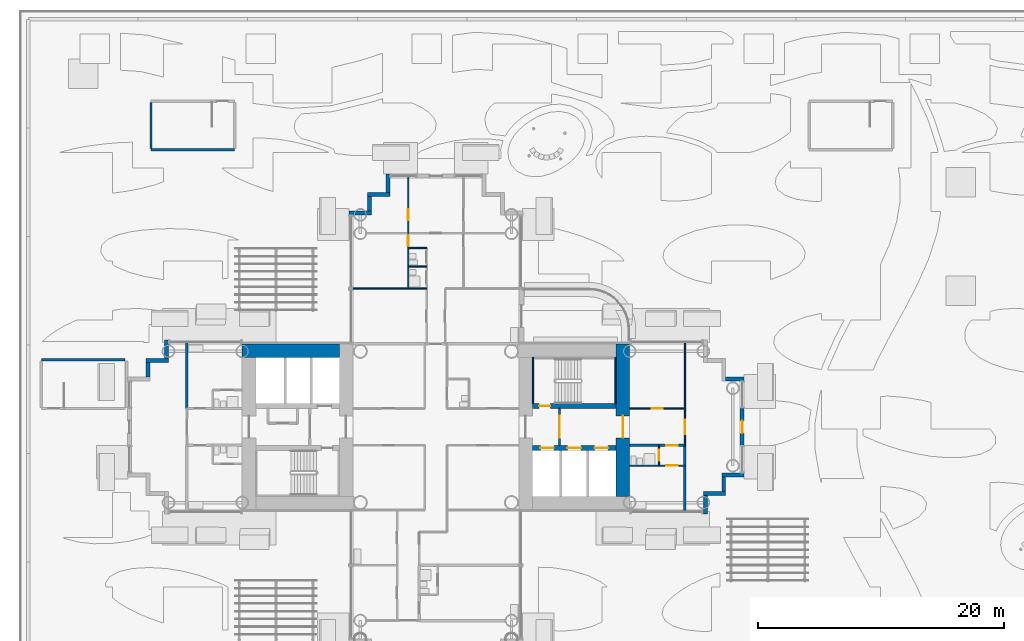
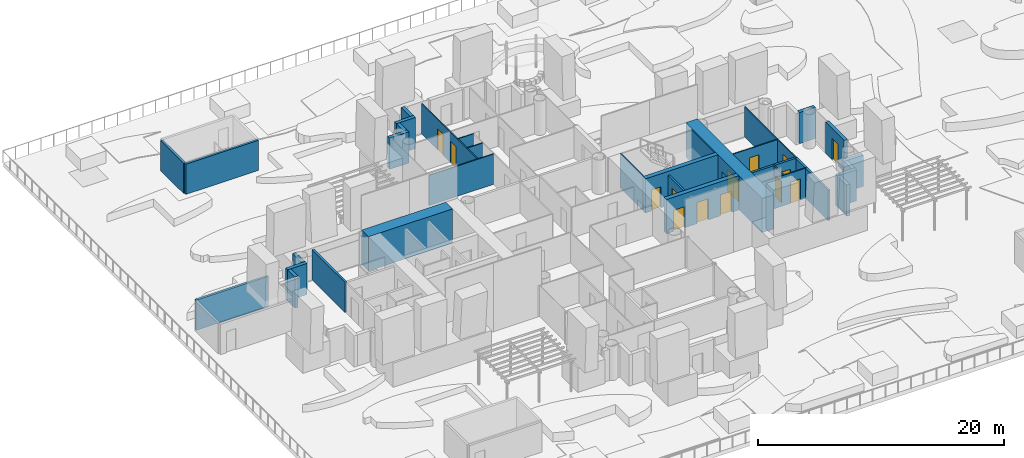
# One storey, part 25 of 40: 34 walls, 14 doors, 14 openings.
"""IFC4 building model written with IfcOpenShell, lengths in metres."""

from ifc_helpers import new_model, si_unit, direction, frame, frame_2d, origin, place, context, subcontext, project, spatial, rectangle, extrude, material, layer, layer_set, type_object, element, fill, save


model = new_model("IFC4")

# Units and contexts
model_context = context("Model", 3, precision=1e-05, world=origin(), true_north=direction((0.0, 1.0)))
body_context = subcontext(model_context, "Body", "Model", "MODEL_VIEW")
ifc_project = project(units=[si_unit("LENGTHUNIT", "METRE"), si_unit("AREAUNIT", "SQUARE_METRE"), si_unit("VOLUMEUNIT", "CUBIC_METRE"), si_unit("PLANEANGLEUNIT", "RADIAN"), si_unit("MASSUNIT", "GRAM", prefix="KILO")], contexts=[model_context])

# Site, building, storey
site_placement = place(None, origin())
site = spatial("IfcSite", under=ifc_project, at=site_placement, CompositionType="ELEMENT")
building_placement = place(site_placement, origin())
building = spatial("IfcBuilding", under=site, at=building_placement, Name="Ipe Terrace Towers", CompositionType="ELEMENT")
storey_placement = place(building_placement, frame((0.0, 0.0, 24.5)))
storey = spatial("IfcBuildingStorey", under=building, at=storey_placement, Name="L05", CompositionType="ELEMENT", Elevation=24.5)

# Walls
ifc_material_1 = material(Name="Concrete C40/50 with buff precast cladding", Category="concrete")
ifc_layer_1 = layer(ifc_material_1, 0.320068359375)
ifc_layer_set_1 = layer_set([ifc_layer_1], Name="BUFF CLADDING WALL 320")
wall_type_1 = type_object("IfcWallType", Name="BUFF CLADDING WALL 320", PredefinedType="STANDARD", material=ifc_layer_set_1)
wall_1_placement = place(storey_placement, frame((-14.090087890625, -7.070068359375, 0.0), z_axis=(0.0, 0.0, 1.0), x_axis=(0.0, 1.0, 0.0)))
element("IfcWall", 1, at=wall_1_placement, inside=storey, type_object=wall_type_1, Name="T1-W-L05-21a wall", PredefinedType="STANDARD", context=body_context, shape_type="SweptSolid", body=[
    extrude(rectangle(XDim=1.5, YDim=0.320068359375, at=frame_2d((0.75, 0.0))), origin(), (0.0, 0.0, 1.0), 3.10009765625),
])
wall_2_placement = place(storey_placement, frame((-14.25, -5.409912109375, 0.0), z_axis=(0.0, 0.0, 1.0), x_axis=(1.0, 0.0, 0.0)))
element("IfcWall", 2, at=wall_2_placement, inside=storey, type_object=wall_type_1, Name="T1-W-L05-22a wall", PredefinedType="STANDARD", context=body_context, shape_type="SweptSolid", body=[
    extrude(rectangle(XDim=1.820068359375, YDim=0.320068359375, at=frame_2d((0.91015625, 0.0))), origin(), (0.0, 0.0, 1.0), 3.10009765625),
])
wall_3_placement = place(storey_placement, frame((-12.590087890625, -5.25, 0.0), z_axis=(0.0, 0.0, 1.0), x_axis=(0.0, 1.0, 0.0)))
element("IfcWall", 3, at=wall_3_placement, inside=storey, type_object=wall_type_1, Name="T1-W-L05-23a wall", PredefinedType="STANDARD", context=body_context, shape_type="SweptSolid", body=[
    extrude(rectangle(XDim=1.179931640625, YDim=0.320068359375, at=frame_2d((0.58984375, 0.0))), origin(), (0.0, 0.0, 1.0), 3.10009765625),
])
wall_4_placement = place(storey_placement, frame((-12.75, -3.909912109375, 0.0), z_axis=(0.0, 0.0, 1.0), x_axis=(1.0, 0.0, 0.0)))
element("IfcWall", 4, at=wall_4_placement, inside=storey, type_object=wall_type_1, Name="T1-W-L05-24a wall", PredefinedType="STANDARD", context=body_context, shape_type="SweptSolid", body=[
    extrude(rectangle(XDim=1.820068359375, YDim=0.320068359375, at=frame_2d((0.91015625, 0.0))), origin(), (0.0, 0.0, 1.0), 3.10009765625),
])

# Wall, opening, door
wall_5_placement = place(storey_placement, frame((-11.090087890625, -1.5, 0.0), z_axis=(0.0, 0.0, 1.0), x_axis=(0.0, 1.0, 0.0)))
wall_5 = element("IfcWall", 5, at=wall_5_placement, inside=storey, type_object=wall_type_1, Name="T1-W-L05-25b wall", PredefinedType="STANDARD", context=body_context, shape_type="SweptSolid", body=[
    extrude(rectangle(XDim=3.0, YDim=0.320068359375, at=frame_2d((1.5, 0.0))), origin(), (0.0, 0.0, 1.0), 3.10009765625),
])
opening_1_placement = place(wall_5_placement, frame((1.0, 0.0, 0.0)))
opening_1 = element("IfcOpeningElement", 6, at=opening_1_placement, cuts=wall_5, Name="Opening T1-D-L05-25", PredefinedType="OPENING", context=body_context, shape_type="SweptSolid", body=[
    extrude(rectangle(XDim=1.0, YDim=2.10009765625, at=frame_2d((0.5, 1.050048828125))), frame((0.0, 0.169921875, 0.0), z_axis=(0.0, -1.0, 0.0), x_axis=(1.0, 0.0, 0.0)), (0.0, 0.0, 1.0), 0.340087890625),
])
ifc_material_2 = material(Name="Aluminium alloy 6063-T6 framed glazed door", Category="aluminium")
door_type_1 = type_object("IfcDoorType", Name="TERRACE DOOR 1000 x 2100", OperationType="SINGLE_SWING_LEFT", PredefinedType="DOOR", material=ifc_material_2)
door_1_placement = place(opening_1_placement, origin())
door_1 = element("IfcDoor", 7, at=door_1_placement, inside=storey, type_object=door_type_1, Name="DT1 door", OperationType="SINGLE_SWING_LEFT", OverallHeight=2.10009765625, OverallWidth=1.0, PredefinedType="DOOR", context=body_context, shape_type="SweptSolid", body=[
    extrude(rectangle(XDim=1.0, YDim=2.10009765625, at=frame_2d((0.5, 1.050048828125))), frame((0.0, 0.02490234375, 0.0), z_axis=(0.0, -1.0, 0.0), x_axis=(1.0, 0.0, 0.0)), (0.0, 0.0, 1.0), 0.050048828125),
])
fill(opening_1, door_1)

# Walls
for number, where, z_axis, x_axis, name in (
    (8, (-10.929931640625, 3.909912109375, 0.0), (0.0, 0.0, 1.0), (-1.0, 0.0, 0.0), "T1-W-L05-26a wall"),
    (9, (-39.909912109375, 20.570068359375, 0.0), (0.0, 0.0, 1.0), (0.0, -1.0, 0.0), "T1-W-L05-39a wall"),
):
    element("IfcWall", number, at=place(storey_placement, frame(where, z_axis=z_axis, x_axis=x_axis)), inside=storey, type_object=wall_type_1, Name=name, PredefinedType="STANDARD", context=body_context, shape_type="SweptSolid", body=[
        extrude(rectangle(XDim=1.5, YDim=0.320068359375, at=frame_2d((0.75, 0.0))), origin(), (0.0, 0.0, 1.0), 3.10009765625),
    ])
wall_6_placement = place(storey_placement, frame((-39.75, 18.909912109375, 0.0), z_axis=(0.0, 0.0, 1.0), x_axis=(-1.0, 0.0, 0.0)))
element("IfcWall", 10, at=wall_6_placement, inside=storey, type_object=wall_type_1, Name="T1-W-L05-40a wall", PredefinedType="STANDARD", context=body_context, shape_type="SweptSolid", body=[
    extrude(rectangle(XDim=1.820068359375, YDim=0.320068359375, at=frame_2d((0.91015625, 0.0))), origin(), (0.0, 0.0, 1.0), 3.10009765625),
])
wall_7_placement = place(storey_placement, frame((-41.409912109375, 18.75, 0.0), z_axis=(0.0, 0.0, 1.0), x_axis=(0.0, -1.0, 0.0)))
element("IfcWall", 11, at=wall_7_placement, inside=storey, type_object=wall_type_1, Name="T1-W-L05-41a wall", PredefinedType="STANDARD", context=body_context, shape_type="SweptSolid", body=[
    extrude(rectangle(XDim=1.179931640625, YDim=0.320068359375, at=frame_2d((0.58984375, 0.0))), origin(), (0.0, 0.0, 1.0), 3.10009765625),
])
wall_8_placement = place(storey_placement, frame((-41.25, 17.409912109375, 0.0), z_axis=(0.0, 0.0, 1.0), x_axis=(-1.0, 0.0, 0.0)))
element("IfcWall", 12, at=wall_8_placement, inside=storey, type_object=wall_type_1, Name="T1-W-L05-42a wall", PredefinedType="STANDARD", context=body_context, shape_type="SweptSolid", body=[
    extrude(rectangle(XDim=1.820068359375, YDim=0.320068359375, at=frame_2d((0.91015625, 0.0))), origin(), (0.0, 0.0, 1.0), 3.10009765625),
])
wall_9_placement = place(storey_placement, frame((-57.909912109375, 7.070068359375, 0.0), z_axis=(0.0, 0.0, 1.0), x_axis=(0.0, -1.0, 0.0)))
element("IfcWall", 13, at=wall_9_placement, inside=storey, type_object=wall_type_1, Name="T1-W-L05-47a wall", PredefinedType="STANDARD", context=body_context, shape_type="SweptSolid", body=[
    extrude(rectangle(XDim=1.5, YDim=0.320068359375, at=frame_2d((0.75, 0.0))), origin(), (0.0, 0.0, 1.0), 3.10009765625),
])
wall_10_placement = place(storey_placement, frame((-57.75, 5.409912109375, 0.0), z_axis=(0.0, 0.0, 1.0), x_axis=(-1.0, 0.0, 0.0)))
element("IfcWall", 14, at=wall_10_placement, inside=storey, type_object=wall_type_1, Name="T1-W-L05-48a wall", PredefinedType="STANDARD", context=body_context, shape_type="SweptSolid", body=[
    extrude(rectangle(XDim=1.820068359375, YDim=0.320068359375, at=frame_2d((0.91015625, 0.0))), origin(), (0.0, 0.0, 1.0), 3.10009765625),
])
wall_11_placement = place(storey_placement, frame((-59.409912109375, 5.25, 0.0), z_axis=(0.0, 0.0, 1.0), x_axis=(0.0, -1.0, 0.0)))
element("IfcWall", 15, at=wall_11_placement, inside=storey, type_object=wall_type_1, Name="T1-W-L05-49a wall", PredefinedType="STANDARD", context=body_context, shape_type="SweptSolid", body=[
    extrude(rectangle(XDim=1.179931640625, YDim=0.320068359375, at=frame_2d((0.58984375, 0.0))), origin(), (0.0, 0.0, 1.0), 3.10009765625),
])

# Wall, openings, doors
ifc_material_3 = material(Name="Gypsum board partition", Category="plasterboard")
ifc_layer_2 = layer(ifc_material_3, 0.10009765625)
ifc_layer_set_2 = layer_set([ifc_layer_2], Name="Gypsum board partition 100 mm")
wall_type_2 = type_object("IfcWallType", Name="Gypsum board partition 100 mm", PredefinedType="PARTITIONING", material=ifc_layer_set_2)
wall_12_placement = place(storey_placement, frame((-38.25, 11.25, 0.0), z_axis=(0.0, 0.0, 1.0), x_axis=(0.0, 1.0, 0.0)))
wall_12 = element("IfcWall", 16, at=wall_12_placement, inside=storey, type_object=wall_type_2, Name="Gypsum board partition T1 L05 W07", PredefinedType="PARTITIONING", context=body_context, shape_type="SweptSolid", body=[
    extrude(rectangle(XDim=9.10009765625, YDim=0.10009765625, at=frame_2d((4.550048828125, 0.0))), origin(), (0.0, 0.0, 1.0), 3.0),
])
opening_2_placement = place(wall_12_placement, frame((3.449951171875, 0.0, 0.0)))
opening_2 = element("IfcOpeningElement", 17, at=opening_2_placement, cuts=wall_12, Name="Opening T1-Z1A-11", PredefinedType="OPENING", context=body_context, shape_type="SweptSolid", body=[
    extrude(rectangle(XDim=0.89990234375, YDim=2.10009765625, at=frame_2d((0.449951171875, 1.050048828125))), frame((0.0, 0.06005859375, 0.0), z_axis=(0.0, -1.0, 0.0), x_axis=(1.0, 0.0, 0.0)), (0.0, 0.0, 1.0), 0.1201171875),
])
opening_3_placement = place(wall_12_placement, frame((5.550048828125, 0.0, 0.0)))
opening_3 = element("IfcOpeningElement", 18, at=opening_3_placement, cuts=wall_12, Name="Opening T1-Z1A-14", PredefinedType="OPENING", context=body_context, shape_type="SweptSolid", body=[
    extrude(rectangle(XDim=0.89990234375, YDim=2.10009765625, at=frame_2d((0.449951171875, 1.050048828125))), frame((0.0, 0.06005859375, 0.0), z_axis=(0.0, -1.0, 0.0), x_axis=(1.0, 0.0, 0.0)), (0.0, 0.0, 1.0), 0.1201171875),
])
ifc_material_4 = material(Name="Timber door leaf", Category="wood")
door_type_2 = type_object("IfcDoorType", Name="Bedroom door 900 x 2100", OperationType="NOTDEFINED", PredefinedType="DOOR", material=ifc_material_4)
door_2_placement = place(opening_2_placement, origin())
door_2 = element("IfcDoor", 19, at=door_2_placement, inside=storey, type_object=door_type_2, Name="Bedroom door T1-Z1A-11", OperationType="SINGLE_SWING_RIGHT", OverallHeight=2.10009765625, OverallWidth=0.89990234375, PredefinedType="DOOR", context=body_context, shape_type="SweptSolid", body=[
    extrude(rectangle(XDim=0.89990234375, YDim=2.10009765625, at=frame_2d((0.449951171875, 1.050048828125))), frame((0.0, 0.02490234375, 0.0), z_axis=(0.0, -1.0, 0.0), x_axis=(1.0, 0.0, 0.0)), (0.0, 0.0, 1.0), 0.050048828125),
])
fill(opening_2, door_2)
door_3_placement = place(opening_3_placement, origin())
door_3 = element("IfcDoor", 20, at=door_3_placement, inside=storey, type_object=door_type_2, Name="Bedroom door T1-Z1A-14", OperationType="SINGLE_SWING_LEFT", OverallHeight=2.10009765625, OverallWidth=0.89990234375, PredefinedType="DOOR", context=body_context, shape_type="SweptSolid", body=[
    extrude(rectangle(XDim=0.89990234375, YDim=2.10009765625, at=frame_2d((0.449951171875, 1.050048828125))), frame((0.0, 0.02490234375, 0.0), z_axis=(0.0, -1.0, 0.0), x_axis=(1.0, 0.0, 0.0)), (0.0, 0.0, 1.0), 0.050048828125),
])
fill(opening_3, door_3)

# Wall, opening, door
wall_13_placement = place(storey_placement, frame((-17.85009765625, -3.14990234375, 0.0), z_axis=(0.0, 0.0, 1.0), x_axis=(0.0, 1.0, 0.0)))
wall_13 = element("IfcWall", 21, at=wall_13_placement, inside=storey, type_object=wall_type_2, Name="Gypsum board partition T1 L05 W19", PredefinedType="PARTITIONING", context=body_context, shape_type="SweptSolid", body=[
    extrude(rectangle(XDim=1.64990234375, YDim=0.10009765625, at=frame_2d((0.824951171875, 0.0))), origin(), (0.0, 0.0, 1.0), 3.0),
])
opening_4_placement = place(wall_13_placement, frame((0.39990234375, 0.0, 0.0)))
opening_4 = element("IfcOpeningElement", 22, at=opening_4_placement, cuts=wall_13, Name="Opening T1-Z1A-25", PredefinedType="OPENING", context=body_context, shape_type="SweptSolid", body=[
    extrude(rectangle(XDim=0.89990234375, YDim=2.10009765625, at=frame_2d((0.449951171875, 1.050048828125))), frame((0.0, 0.06005859375, 0.0), z_axis=(0.0, -1.0, 0.0), x_axis=(1.0, 0.0, 0.0)), (0.0, 0.0, 1.0), 0.1201171875),
])
ifc_material_5 = material(Name="Timber door leaf", Category="wood")
door_type_3 = type_object("IfcDoorType", Name="Bathroom door 900 x 2100", OperationType="NOTDEFINED", PredefinedType="DOOR", material=ifc_material_5)
door_4_placement = place(opening_4_placement, origin())
door_4 = element("IfcDoor", 23, at=door_4_placement, inside=storey, type_object=door_type_3, Name="Bathroom door T1-Z1A-25", OperationType="SINGLE_SWING_LEFT", OverallHeight=2.10009765625, OverallWidth=0.89990234375, PredefinedType="DOOR", context=body_context, shape_type="SweptSolid", body=[
    extrude(rectangle(XDim=0.89990234375, YDim=2.10009765625, at=frame_2d((0.449951171875, 1.050048828125))), frame((0.0, 0.02490234375, 0.0), z_axis=(0.0, -1.0, 0.0), x_axis=(1.0, 0.0, 0.0)), (0.0, 0.0, 1.0), 0.050048828125),
])
fill(opening_4, door_4)

wall_14_placement = place(storey_placement, frame((-15.75, -1.5, 0.0), z_axis=(0.0, 0.0, 1.0), x_axis=(0.0, 1.0, 0.0)))
wall_14 = element("IfcWall", 24, at=wall_14_placement, inside=storey, type_object=wall_type_2, Name="Gypsum board partition T1 L05 W20", PredefinedType="PARTITIONING", context=body_context, shape_type="SweptSolid", body=[
    extrude(rectangle(XDim=8.35009765625, YDim=0.10009765625, at=frame_2d((4.175048828125, 0.0))), origin(), (0.0, 0.0, 1.0), 3.0),
])
opening_5_placement = place(wall_14_placement, frame((0.89990234375, 0.0, 0.0)))
opening_5 = element("IfcOpeningElement", 25, at=opening_5_placement, cuts=wall_14, Name="Opening T1-Z1A-26", PredefinedType="OPENING", context=body_context, shape_type="SweptSolid", body=[
    extrude(rectangle(XDim=1.199951171875, YDim=2.10009765625, at=frame_2d((0.60009765625, 1.050048828125))), frame((0.0, 0.06005859375, 0.0), z_axis=(0.0, -1.0, 0.0), x_axis=(1.0, 0.0, 0.0)), (0.0, 0.0, 1.0), 0.1201171875),
])
ifc_material_6 = material(Name="Timber door leaf", Category="wood")
door_type_4 = type_object("IfcDoorType", Name="Lounge door 1200 x 2100", OperationType="NOTDEFINED", PredefinedType="DOOR", material=ifc_material_6)
door_5_placement = place(opening_5_placement, origin())
door_5 = element("IfcDoor", 26, at=door_5_placement, inside=storey, type_object=door_type_4, Name="Lounge door T1-Z1A-26", OperationType="SINGLE_SWING_LEFT", OverallHeight=2.10009765625, OverallWidth=1.199951171875, PredefinedType="DOOR", context=body_context, shape_type="SweptSolid", body=[
    extrude(rectangle(XDim=1.199951171875, YDim=2.10009765625, at=frame_2d((0.60009765625, 1.050048828125))), frame((0.0, 0.02490234375, 0.0), z_axis=(0.0, -1.0, 0.0), x_axis=(1.0, 0.0, 0.0)), (0.0, 0.0, 1.0), 0.050048828125),
])
fill(opening_5, door_5)

wall_15_placement = place(storey_placement, frame((-20.25, -3.14990234375, 0.0), z_axis=(0.0, 0.0, 1.0), x_axis=(1.0, 0.0, 0.0)))
wall_15 = element("IfcWall", 27, at=wall_15_placement, inside=storey, type_object=wall_type_2, Name="Gypsum board partition T1 L05 W30", PredefinedType="PARTITIONING", context=body_context, shape_type="SweptSolid", body=[
    extrude(rectangle(XDim=4.5, YDim=0.10009765625, at=frame_2d((2.25, 0.0))), origin(), (0.0, 0.0, 1.0), 3.0),
])
opening_6_placement = place(wall_15_placement, frame((3.0, 0.0, 0.0)))
opening_6 = element("IfcOpeningElement", 28, at=opening_6_placement, cuts=wall_15, Name="Opening T1-Z1A-24", PredefinedType="OPENING", context=body_context, shape_type="SweptSolid", body=[
    extrude(rectangle(XDim=0.89990234375, YDim=2.10009765625, at=frame_2d((0.449951171875, 1.050048828125))), frame((0.0, 0.06005859375, 0.0), z_axis=(0.0, -1.0, 0.0), x_axis=(1.0, 0.0, 0.0)), (0.0, 0.0, 1.0), 0.1201171875),
])
door_6_placement = place(opening_6_placement, origin())
door_6 = element("IfcDoor", 29, at=door_6_placement, inside=storey, type_object=door_type_2, Name="Bedroom door T1-Z1A-24", OperationType="SINGLE_SWING_RIGHT", OverallHeight=2.10009765625, OverallWidth=0.89990234375, PredefinedType="DOOR", context=body_context, shape_type="SweptSolid", body=[
    extrude(rectangle(XDim=0.89990234375, YDim=2.10009765625, at=frame_2d((0.449951171875, 1.050048828125))), frame((0.0, 0.02490234375, 0.0), z_axis=(0.0, -1.0, 0.0), x_axis=(1.0, 0.0, 0.0)), (0.0, 0.0, 1.0), 0.050048828125),
])
fill(opening_6, door_6)

wall_16_placement = place(storey_placement, frame((-20.25, 1.5, 0.0), z_axis=(0.0, 0.0, 1.0), x_axis=(1.0, 0.0, 0.0)))
wall_16 = element("IfcWall", 30, at=wall_16_placement, inside=storey, type_object=wall_type_2, Name="Gypsum board partition T1 L05 W38", PredefinedType="PARTITIONING", context=body_context, shape_type="SweptSolid", body=[
    extrude(rectangle(XDim=4.5, YDim=0.10009765625, at=frame_2d((2.25, 0.0))), origin(), (0.0, 0.0, 1.0), 3.0),
])
opening_7_placement = place(wall_16_placement, frame((1.800048828125, 0.0, 0.0)))
opening_7 = element("IfcOpeningElement", 31, at=opening_7_placement, cuts=wall_16, Name="Opening T1-Z1A-22", PredefinedType="OPENING", context=body_context, shape_type="SweptSolid", body=[
    extrude(rectangle(XDim=0.89990234375, YDim=2.10009765625, at=frame_2d((0.449951171875, 1.050048828125))), frame((0.0, 0.06005859375, 0.0), z_axis=(0.0, -1.0, 0.0), x_axis=(1.0, 0.0, 0.0)), (0.0, 0.0, 1.0), 0.1201171875),
])
ifc_material_7 = material(Name="Timber door leaf", Category="wood")
door_type_5 = type_object("IfcDoorType", Name="Lounge door 900 x 2100", OperationType="NOTDEFINED", PredefinedType="DOOR", material=ifc_material_7)
door_7_placement = place(opening_7_placement, origin())
door_7 = element("IfcDoor", 32, at=door_7_placement, inside=storey, type_object=door_type_5, Name="Lounge door T1-Z1A-22", OperationType="SINGLE_SWING_LEFT", OverallHeight=2.10009765625, OverallWidth=0.89990234375, PredefinedType="DOOR", context=body_context, shape_type="SweptSolid", body=[
    extrude(rectangle(XDim=0.89990234375, YDim=2.10009765625, at=frame_2d((0.449951171875, 1.050048828125))), frame((0.0, 0.02490234375, 0.0), z_axis=(0.0, -1.0, 0.0), x_axis=(1.0, 0.0, 0.0)), (0.0, 0.0, 1.0), 0.050048828125),
])
fill(opening_7, door_7)

# Walls
wall_17_placement = place(storey_placement, frame((-42.85009765625, 11.25, 0.0), z_axis=(0.0, 0.0, 1.0), x_axis=(1.0, 0.0, 0.0)))
element("IfcWall", 33, at=wall_17_placement, inside=storey, type_object=wall_type_2, Name="Gypsum board partition T1 L05 W43", PredefinedType="PARTITIONING", context=body_context, shape_type="SweptSolid", body=[
    extrude(rectangle(XDim=6.10009765625, YDim=0.10009765625, at=frame_2d((3.050048828125, 0.0))), origin(), (0.0, 0.0, 1.0), 3.0),
])
for number, where, z_axis, x_axis, name in (
    (34, (-38.25, 13.050048828125, 0.0), (0.0, 0.0, 1.0), (1.0, 0.0, 0.0), "Gypsum board partition T1 L05 W45"),
    (35, (-38.25, 14.550048828125, 0.0), (0.0, 0.0, 1.0), (1.0, 0.0, 0.0), "Gypsum board partition T1 L05 W46"),
):
    element("IfcWall", number, at=place(storey_placement, frame(where, z_axis=z_axis, x_axis=x_axis)), inside=storey, type_object=wall_type_2, Name=name, PredefinedType="PARTITIONING", context=body_context, shape_type="SweptSolid", body=[
        extrude(rectangle(XDim=1.5, YDim=0.10009765625, at=frame_2d((0.75, 0.0))), origin(), (0.0, 0.0, 1.0), 3.0),
    ])

# Wall, opening, door
ifc_material_8 = material(Name="Gypsum board partition", Category="plasterboard")
ifc_layer_3 = layer(ifc_material_8, 0.14990234375)
ifc_layer_set_3 = layer_set([ifc_layer_3], Name="Gypsum board partition 150 mm")
wall_type_3 = type_object("IfcWallType", Name="Gypsum board partition 150 mm", PredefinedType="PARTITIONING", material=ifc_layer_set_3)
wall_18_placement = place(storey_placement, frame((-25.949951171875, -1.5, 0.0), z_axis=(0.0, 0.0, 1.0), x_axis=(0.0, 1.0, 0.0)))
wall_18 = element("IfcWall", 36, at=wall_18_placement, inside=storey, type_object=wall_type_3, Name="Gypsum board partition T1 L05 t1c1-lobby-wall", PredefinedType="PARTITIONING", context=body_context, shape_type="SweptSolid", body=[
    extrude(rectangle(XDim=3.0, YDim=0.14990234375, at=frame_2d((1.5, 0.0))), origin(), (0.0, 0.0, 1.0), 3.0),
])
opening_8_placement = place(wall_18_placement, frame((0.60009765625, 0.0, 0.0)))
opening_8 = element("IfcOpeningElement", 37, at=opening_8_placement, cuts=wall_18, Name="Opening T1C1-VD", PredefinedType="OPENING", context=body_context, shape_type="SweptSolid", body=[
    extrude(rectangle(XDim=1.800048828125, YDim=2.10009765625, at=frame_2d((0.89990234375, 1.050048828125))), frame((0.0, 0.0849609375, 0.0), z_axis=(0.0, -1.0, 0.0), x_axis=(1.0, 0.0, 0.0)), (0.0, 0.0, 1.0), 0.169921875),
])
ifc_material_9 = material(Name="Fire-rated timber door leaf", Category="wood")
door_type_6 = type_object("IfcDoorType", Name="Lobby door 1800 x 2100 FD60", OperationType="NOTDEFINED", PredefinedType="DOOR", material=ifc_material_9)
door_8_placement = place(opening_8_placement, origin())
door_8 = element("IfcDoor", 38, at=door_8_placement, inside=storey, type_object=door_type_6, Name="Lobby door T1C1-VD", OperationType="SINGLE_SWING_LEFT", OverallHeight=2.10009765625, OverallWidth=1.800048828125, PredefinedType="DOOR", context=body_context, shape_type="SweptSolid", body=[
    extrude(rectangle(XDim=1.800048828125, YDim=2.10009765625, at=frame_2d((0.89990234375, 1.050048828125))), frame((0.0, 0.02490234375, 0.0), z_axis=(0.0, -1.0, 0.0), x_axis=(1.0, 0.0, 0.0)), (0.0, 0.0, 1.0), 0.050048828125),
])
fill(opening_8, door_8)

# Walls
ifc_material_10 = material(Name="Gypsum board party wall", Category="plasterboard")
ifc_layer_4 = layer(ifc_material_10, 0.199951171875)
ifc_layer_set_4 = layer_set([ifc_layer_4], Name="Gypsum board party wall 200 mm")
wall_type_4 = type_object("IfcWallType", Name="Gypsum board party wall 200 mm", PredefinedType="SOLIDWALL", material=ifc_layer_set_4)
for number, where, z_axis, x_axis, name in (
    (39, (-56.25, 1.5, 0.0), (0.0, 0.0, 1.0), (0.0, 1.0, 0.0), "Gypsum board party wall T1 L05 W03"),
    (40, (-15.75, -6.85009765625, 0.0), (0.0, 0.0, 1.0), (0.0, 1.0, 0.0), "Gypsum board party wall T1 L05 W21"),
):
    element("IfcWall", number, at=place(storey_placement, frame(where, z_axis=z_axis, x_axis=x_axis)), inside=storey, type_object=wall_type_4, Name=name, PredefinedType="SOLIDWALL", context=body_context, shape_type="SweptSolid", body=[
        extrude(rectangle(XDim=5.35009765625, YDim=0.199951171875, at=frame_2d((2.675048828125, 0.0))), origin(), (0.0, 0.0, 1.0), 3.0),
    ])

# Wall, opening, door
wall_19_placement = place(storey_placement, frame((-20.25, -1.5, 0.0), z_axis=(0.0, 0.0, 1.0), x_axis=(1.0, 0.0, 0.0)))
wall_19 = element("IfcWall", 41, at=wall_19_placement, inside=storey, type_object=wall_type_4, Name="Gypsum board party wall T1 L05 W35", PredefinedType="SOLIDWALL", context=body_context, shape_type="SweptSolid", body=[
    extrude(rectangle(XDim=4.5, YDim=0.199951171875, at=frame_2d((2.25, 0.0))), origin(), (0.0, 0.0, 1.0), 3.0),
])
opening_9_placement = place(wall_19_placement, frame((3.0, 0.0, 0.0)))
opening_9 = element("IfcOpeningElement", 42, at=opening_9_placement, cuts=wall_19, Name="Opening T1-Z1A-23", PredefinedType="OPENING", context=body_context, shape_type="SweptSolid", body=[
    extrude(rectangle(XDim=0.89990234375, YDim=2.10009765625, at=frame_2d((0.449951171875, 1.050048828125))), frame((0.0, 0.10986328125, 0.0), z_axis=(0.0, -1.0, 0.0), x_axis=(1.0, 0.0, 0.0)), (0.0, 0.0, 1.0), 0.219970703125),
])
ifc_material_11 = material(Name="Fire-rated timber door leaf", Category="wood")
door_type_7 = type_object("IfcDoorType", Name="Flat entrance door 900 x 2100 FD30S", OperationType="NOTDEFINED", PredefinedType="DOOR", material=ifc_material_11)
door_9_placement = place(opening_9_placement, origin())
door_9 = element("IfcDoor", 43, at=door_9_placement, inside=storey, type_object=door_type_7, Name="Flat entrance door T1-Z1A-23", OperationType="SINGLE_SWING_RIGHT", OverallHeight=2.10009765625, OverallWidth=0.89990234375, PredefinedType="DOOR", context=body_context, shape_type="SweptSolid", body=[
    extrude(rectangle(XDim=0.89990234375, YDim=2.10009765625, at=frame_2d((0.449951171875, 1.050048828125))), frame((0.0, 0.02490234375, 0.0), z_axis=(0.0, -1.0, 0.0), x_axis=(1.0, 0.0, 0.0)), (0.0, 0.0, 1.0), 0.050048828125),
])
fill(opening_9, door_9)

# Walls
ifc_material_12 = material(Name="Concrete C60/75", Category="concrete")
ifc_layer_5 = layer(ifc_material_12, 0.10009765625)
ifc_layer_set_5 = layer_set([ifc_layer_5], Name="RW100 CORE INFILL WALL 100 C60-75")
wall_type_5 = type_object("IfcWallType", Name="RW100 CORE INFILL WALL 100 C60-75", PredefinedType="SHEAR", material=ifc_layer_set_5)
for number, where, z_axis, x_axis, name in (
    (44, (-21.39990234375, 1.89990234375, 0.0), (0.0, 0.0, 1.0), (0.0, 1.0, 0.0), "Core infill wall T1-C1-far"),
    (45, (-28.10009765625, 1.89990234375, 0.0), (0.0, 0.0, 1.0), (0.0, 1.0, 0.0), "Core infill wall T1-C1-near"),
):
    element("IfcWall", number, at=place(storey_placement, frame(where, z_axis=z_axis, x_axis=x_axis)), inside=storey, type_object=wall_type_5, Name=name, PredefinedType="SHEAR", context=body_context, shape_type="SweptSolid", body=[
        extrude(rectangle(XDim=3.75, YDim=0.10009765625, at=frame_2d((1.875, 0.0))), origin(), (0.0, 0.0, 1.0), 3.39990234375),
    ])

# Wall, opening, door
ifc_material_13 = material(Name="Concrete C60/75", Category="concrete")
ifc_layer_6 = layer(ifc_material_13, 1.10009765625)
ifc_layer_set_6 = layer_set([ifc_layer_6], Name="RW1100 CORE WALL 1100 C60-75")
wall_type_6 = type_object("IfcWallType", Name="RW1100 CORE WALL 1100 C60-75", PredefinedType="SHEAR", material=ifc_layer_set_6)
wall_20_placement = place(storey_placement, frame((-20.800048828125, -5.64990234375, 0.0), z_axis=(0.0, 0.0, 1.0), x_axis=(0.0, 1.0, 0.0)))
wall_20 = element("IfcWall", 46, at=wall_20_placement, inside=storey, type_object=wall_type_6, Name="Core wall T1-C1-Z1-W02", PredefinedType="SHEAR", context=body_context, shape_type="SweptSolid", body=[
    extrude(rectangle(XDim=12.39990234375, YDim=1.10009765625, at=frame_2d((6.199951171875, 0.0))), origin(), (0.0, 0.0, 1.0), 3.39990234375),
])
opening_10_placement = place(wall_20_placement, frame((4.75, 0.0, 0.0)))
opening_10 = element("IfcOpeningElement", 47, at=opening_10_placement, cuts=wall_20, Name="Opening T1C1-FD", PredefinedType="OPENING", context=body_context, shape_type="SweptSolid", body=[
    extrude(rectangle(XDim=1.800048828125, YDim=2.10009765625, at=frame_2d((0.89990234375, 1.050048828125))), frame((0.0, 0.56005859375, 0.0), z_axis=(0.0, -1.0, 0.0), x_axis=(1.0, 0.0, 0.0)), (0.0, 0.0, 1.0), 1.1201171875),
])
ifc_material_14 = material(Name="Fire-rated timber door leaf", Category="wood")
door_type_8 = type_object("IfcDoorType", Name="Fire door 1800 x 2100 FD30S", OperationType="NOTDEFINED", PredefinedType="DOOR", material=ifc_material_14)
door_10_placement = place(opening_10_placement, origin())
door_10 = element("IfcDoor", 48, at=door_10_placement, inside=storey, type_object=door_type_8, Name="Fire door T1C1-FD", OperationType="SINGLE_SWING_LEFT", OverallHeight=2.10009765625, OverallWidth=1.800048828125, PredefinedType="DOOR", context=body_context, shape_type="SweptSolid", body=[
    extrude(rectangle(XDim=1.800048828125, YDim=2.10009765625, at=frame_2d((0.89990234375, 1.050048828125))), frame((0.0, 0.02490234375, 0.0), z_axis=(0.0, -1.0, 0.0), x_axis=(1.0, 0.0, 0.0)), (0.0, 0.0, 1.0), 0.050048828125),
])
fill(opening_10, door_10)

# Walls
wall_21_placement = place(storey_placement, frame((-43.85009765625, 6.199951171875, 0.0), z_axis=(0.0, 0.0, 1.0), x_axis=(-1.0, 0.0, 0.0)))
element("IfcWall", 49, at=wall_21_placement, inside=storey, type_object=wall_type_6, Name="Core wall T1-C2-Z1-W03", PredefinedType="SHEAR", context=body_context, shape_type="SweptSolid", body=[
    extrude(rectangle(XDim=7.89990234375, YDim=1.10009765625, at=frame_2d((3.949951171875, 0.0))), origin(), (0.0, 0.0, 1.0), 3.39990234375),
])
ifc_material_15 = material(Name="Concrete C40/50", Category="concrete")
ifc_layer_7 = layer(ifc_material_15, 0.199951171875)
ifc_layer_set_7 = layer_set([ifc_layer_7], Name="RW200 PODIUM STAIR SHAFT WALL 200 C40-50")
wall_type_7 = type_object("IfcWallType", Name="RW200 PODIUM STAIR SHAFT WALL 200 C40-50", PredefinedType="SHEAR", material=ifc_layer_set_7)
wall_22_placement = place(storey_placement, frame((-59.169921875, 22.550048828125, 0.0), z_axis=(0.0, 0.0, 1.0), x_axis=(1.0, 0.0, 0.0)))
element("IfcWall", 50, at=wall_22_placement, inside=storey, type_object=wall_type_7, Name="Stair shaft wall T1 L05 ps1-f", PredefinedType="SHEAR", context=body_context, shape_type="SweptSolid", body=[
    extrude(rectangle(XDim=6.7998046875, YDim=0.199951171875, at=frame_2d((3.39990234375, 0.0))), origin(), (0.0, 0.0, 1.0), 3.0),
])
wall_23_placement = place(storey_placement, frame((-59.169921875, 22.64990234375, 0.0), z_axis=(0.0, 0.0, 1.0), x_axis=(0.0, 1.0, 0.0)))
element("IfcWall", 51, at=wall_23_placement, inside=storey, type_object=wall_type_7, Name="Stair shaft wall T1 L05 ps1-w", PredefinedType="SHEAR", context=body_context, shape_type="SweptSolid", body=[
    extrude(rectangle(XDim=3.75, YDim=0.199951171875, at=frame_2d((1.875, 0.0))), origin(), (0.0, 0.0, 1.0), 3.0),
])
wall_24_placement = place(storey_placement, frame((-68.090087890625, 5.449951171875, 0.0), z_axis=(0.0, 0.0, 1.0), x_axis=(1.0, 0.0, 0.0)))
element("IfcWall", 52, at=wall_24_placement, inside=storey, type_object=wall_type_7, Name="Stair shaft wall T1 L05 ps7-f", PredefinedType="SHEAR", context=body_context, shape_type="SweptSolid", body=[
    extrude(rectangle(XDim=6.800048828125, YDim=0.199951171875, at=frame_2d((3.39990234375, 0.0))), origin(), (0.0, 0.0, 1.0), 3.0),
])

# Wall, openings, doors
ifc_material_16 = material(Name="Concrete C60/75", Category="concrete")
ifc_layer_8 = layer(ifc_material_16, 0.39990234375)
ifc_layer_set_8 = layer_set([ifc_layer_8], Name="RW400 CORE SPINE WALL 400 C60-75")
wall_type_8 = type_object("IfcWallType", Name="RW400 CORE SPINE WALL 400 C60-75", PredefinedType="SHEAR", material=ifc_layer_set_8)
wall_25_placement = place(storey_placement, frame((-28.14990234375, -1.699951171875, 0.0), z_axis=(0.0, 0.0, 1.0), x_axis=(1.0, 0.0, 0.0)))
wall_25 = element("IfcWall", 53, at=wall_25_placement, inside=storey, type_object=wall_type_8, Name="Core spine wall T1-C1-Z1-SW1", PredefinedType="SHEAR", context=body_context, shape_type="SweptSolid", body=[
    extrude(rectangle(XDim=6.7998046875, YDim=0.39990234375, at=frame_2d((3.39990234375, 0.0))), origin(), (0.0, 0.0, 1.0), 3.39990234375),
])
opening_11_placement = place(wall_25_placement, frame((0.64990234375, 0.0, 0.0)))
opening_11 = element("IfcOpeningElement", 54, at=opening_11_placement, cuts=wall_25, Name="Opening T1C1-LD1", PredefinedType="OPENING", context=body_context, shape_type="SweptSolid", body=[
    extrude(rectangle(XDim=1.10009765625, YDim=2.10009765625, at=frame_2d((0.550048828125, 1.050048828125))), frame((0.0, 0.2099609375, 0.0), z_axis=(0.0, -1.0, 0.0), x_axis=(1.0, 0.0, 0.0)), (0.0, 0.0, 1.0), 0.419921875),
])
opening_12_placement = place(wall_25_placement, frame((2.85009765625, 0.0, 0.0)))
opening_12 = element("IfcOpeningElement", 55, at=opening_12_placement, cuts=wall_25, Name="Opening T1C1-LD2", PredefinedType="OPENING", context=body_context, shape_type="SweptSolid", body=[
    extrude(rectangle(XDim=1.10009765625, YDim=2.10009765625, at=frame_2d((0.550048828125, 1.050048828125))), frame((0.0, 0.2099609375, 0.0), z_axis=(0.0, -1.0, 0.0), x_axis=(1.0, 0.0, 0.0)), (0.0, 0.0, 1.0), 0.419921875),
])
opening_13_placement = place(wall_25_placement, frame((5.050048828125, 0.0, 0.0)))
opening_13 = element("IfcOpeningElement", 56, at=opening_13_placement, cuts=wall_25, Name="Opening T1C1-LD3", PredefinedType="OPENING", context=body_context, shape_type="SweptSolid", body=[
    extrude(rectangle(XDim=1.10009765625, YDim=2.10009765625, at=frame_2d((0.550048828125, 1.050048828125))), frame((0.0, 0.2099609375, 0.0), z_axis=(0.0, -1.0, 0.0), x_axis=(1.0, 0.0, 0.0)), (0.0, 0.0, 1.0), 0.419921875),
])
ifc_material_17 = material(Name="Fire-rated timber door leaf", Category="wood")
door_type_9 = type_object("IfcDoorType", Name="Sliding door 1100 x 2100 FD60", OperationType="SLIDING_TO_LEFT", PredefinedType="DOOR", material=ifc_material_17)
door_11_placement = place(opening_11_placement, origin())
door_11 = element("IfcDoor", 57, at=door_11_placement, inside=storey, type_object=door_type_9, Name="Sliding door T1C1-LD1", OperationType="SLIDING_TO_LEFT", OverallHeight=2.10009765625, OverallWidth=1.10009765625, PredefinedType="DOOR", context=body_context, shape_type="SweptSolid", body=[
    extrude(rectangle(XDim=1.10009765625, YDim=2.10009765625, at=frame_2d((0.550048828125, 1.050048828125))), frame((0.0, 0.02490234375, 0.0), z_axis=(0.0, -1.0, 0.0), x_axis=(1.0, 0.0, 0.0)), (0.0, 0.0, 1.0), 0.050048828125),
])
fill(opening_11, door_11)
door_12_placement = place(opening_12_placement, origin())
door_12 = element("IfcDoor", 58, at=door_12_placement, inside=storey, type_object=door_type_9, Name="Sliding door T1C1-LD2", OperationType="SLIDING_TO_LEFT", OverallHeight=2.10009765625, OverallWidth=1.10009765625, PredefinedType="DOOR", context=body_context, shape_type="SweptSolid", body=[
    extrude(rectangle(XDim=1.10009765625, YDim=2.10009765625, at=frame_2d((0.550048828125, 1.050048828125))), frame((0.0, 0.02490234375, 0.0), z_axis=(0.0, -1.0, 0.0), x_axis=(1.0, 0.0, 0.0)), (0.0, 0.0, 1.0), 0.050048828125),
])
fill(opening_12, door_12)
door_13_placement = place(opening_13_placement, origin())
door_13 = element("IfcDoor", 59, at=door_13_placement, inside=storey, type_object=door_type_9, Name="Sliding door T1C1-LD3", OperationType="SLIDING_TO_LEFT", OverallHeight=2.10009765625, OverallWidth=1.10009765625, PredefinedType="DOOR", context=body_context, shape_type="SweptSolid", body=[
    extrude(rectangle(XDim=1.10009765625, YDim=2.10009765625, at=frame_2d((0.550048828125, 1.050048828125))), frame((0.0, 0.02490234375, 0.0), z_axis=(0.0, -1.0, 0.0), x_axis=(1.0, 0.0, 0.0)), (0.0, 0.0, 1.0), 0.050048828125),
])
fill(opening_13, door_13)

# Wall, opening, door
wall_26_placement = place(storey_placement, frame((-28.14990234375, 1.699951171875, 0.0), z_axis=(0.0, 0.0, 1.0), x_axis=(1.0, 0.0, 0.0)))
wall_26 = element("IfcWall", 60, at=wall_26_placement, inside=storey, type_object=wall_type_8, Name="Core spine wall T1-C1-Z1-SW2", PredefinedType="SHEAR", context=body_context, shape_type="SweptSolid", body=[
    extrude(rectangle(XDim=6.7998046875, YDim=0.39990234375, at=frame_2d((3.39990234375, 0.0))), origin(), (0.0, 0.0, 1.0), 3.39990234375),
])
opening_14_placement = place(wall_26_placement, frame((0.550048828125, 0.0, 0.0)))
opening_14 = element("IfcOpeningElement", 61, at=opening_14_placement, cuts=wall_26, Name="Opening T1C1-SD", PredefinedType="OPENING", context=body_context, shape_type="SweptSolid", body=[
    extrude(rectangle(XDim=0.89990234375, YDim=2.10009765625, at=frame_2d((0.449951171875, 1.050048828125))), frame((0.0, 0.2099609375, 0.0), z_axis=(0.0, -1.0, 0.0), x_axis=(1.0, 0.0, 0.0)), (0.0, 0.0, 1.0), 0.419921875),
])
ifc_material_18 = material(Name="Fire-rated timber door leaf", Category="wood")
door_type_10 = type_object("IfcDoorType", Name="Stair door 900 x 2100 FD60", OperationType="NOTDEFINED", PredefinedType="DOOR", material=ifc_material_18)
door_14_placement = place(opening_14_placement, origin())
door_14 = element("IfcDoor", 62, at=door_14_placement, inside=storey, type_object=door_type_10, Name="Stair door T1C1-SD", OperationType="SINGLE_SWING_LEFT", OverallHeight=2.10009765625, OverallWidth=0.89990234375, PredefinedType="DOOR", context=body_context, shape_type="SweptSolid", body=[
    extrude(rectangle(XDim=0.89990234375, YDim=2.10009765625, at=frame_2d((0.449951171875, 1.050048828125))), frame((0.0, 0.02490234375, 0.0), z_axis=(0.0, -1.0, 0.0), x_axis=(1.0, 0.0, 0.0)), (0.0, 0.0, 1.0), 0.050048828125),
])
fill(opening_14, door_14)

save(model, "model.ifc")
